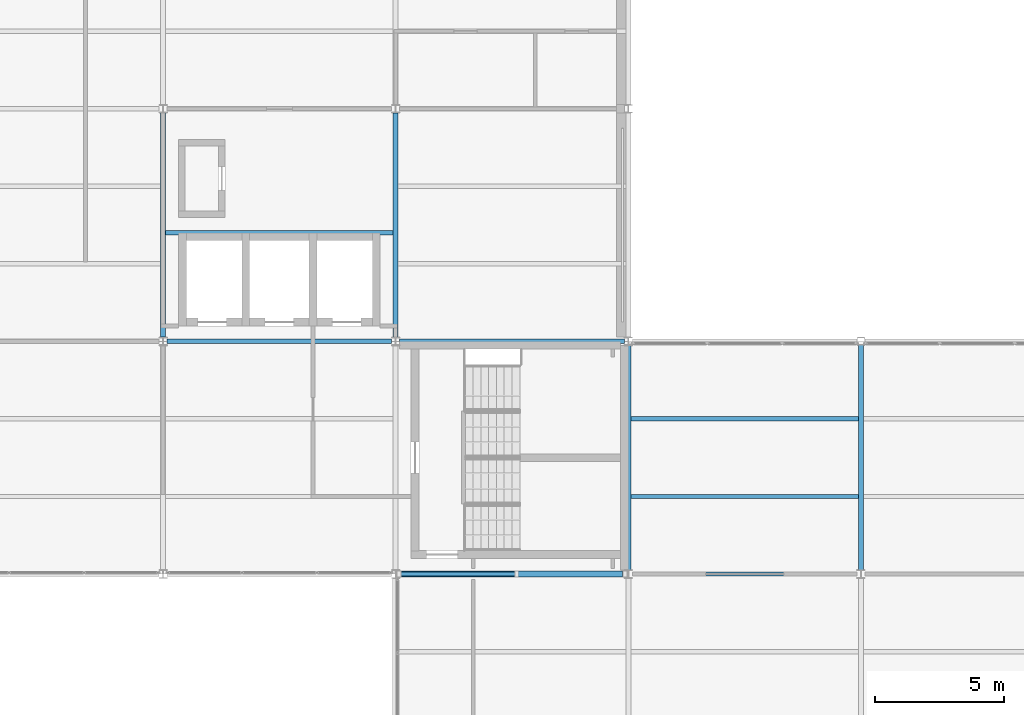
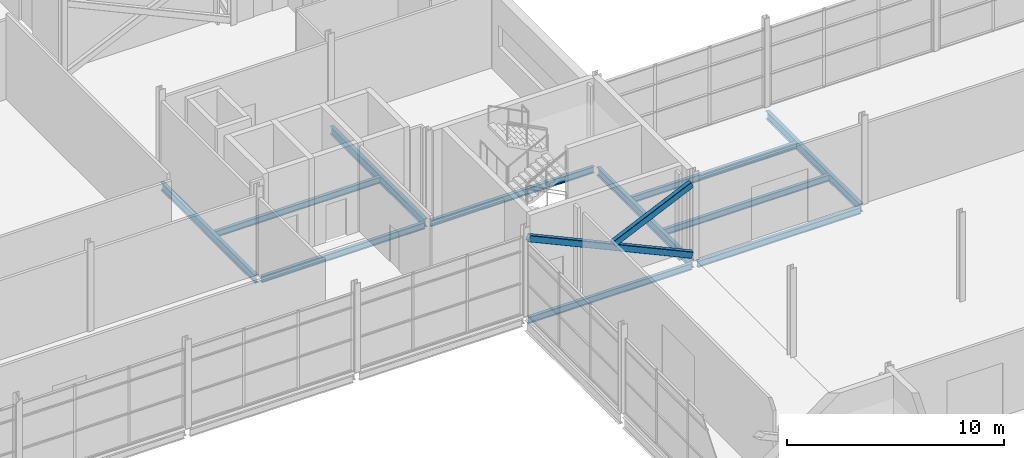
# One storey, part 56 of 112: 11 beams, 2 members.
"""IFC4 building model written with IfcOpenShell, lengths in metres."""

from ifc_helpers import new_model, si_unit, direction, frame, origin, origin_2d, place, context, subcontext, project, spatial, hollow_rectangle, i_section, extrude, material, material_profile, profile_set, type_object, element, save


model = new_model("IFC4")

# Units and contexts
model_context = context("Model", 3, precision=1e-05, world=origin(), true_north=direction((0.0, 1.0)))
body_context = subcontext(model_context, "Body", "Model", "MODEL_VIEW")
ifc_project = project(units=[si_unit("LENGTHUNIT", "METRE"), si_unit("AREAUNIT", "SQUARE_METRE"), si_unit("VOLUMEUNIT", "CUBIC_METRE"), si_unit("PLANEANGLEUNIT", "RADIAN"), si_unit("MASSUNIT", "GRAM", prefix="KILO")], contexts=[model_context])

# Site, building, storey
site_placement = place(None, origin())
site = spatial("IfcSite", under=ifc_project, at=site_placement, CompositionType="ELEMENT")
building_placement = place(site_placement, origin())
building = spatial("IfcBuilding", under=site, at=building_placement, Name="Shorebreak Coast Museum", CompositionType="ELEMENT")
storey_placement = place(building_placement, frame((0.0, 0.0, 6.0)))
storey = spatial("IfcBuildingStorey", under=building, at=storey_placement, Name="L01", CompositionType="ELEMENT", Elevation=6.0)

# Beams
ifc_material_1 = material(Name="Steel Grade 300", Category="steel")
ifc_material_profile_1 = material_profile(ifc_material_1, i_section(OverallWidth=0.1708984375, OverallDepth=0.355712890625, WebThickness=0.00732421875, FlangeThickness=0.011474609375, FilletRadius=0.011474609375, at=origin_2d()), Name="360UB50.7")
ifc_profile_set_1 = profile_set([ifc_material_profile_1], Name="Steel Grade 300")
beam_type_1 = type_object("IfcBeamType", Name="Floor girder east-west 360UB50.7", PredefinedType="BEAM", material=ifc_profile_set_1)
beam_1_placement = place(storey_placement, frame((117.154541015625, 81.0, -0.352783203125), z_axis=(1.0, 0.0, 0.0), x_axis=(0.0, 1.0, 0.0)))
element("IfcBeam", 1, at=beam_1_placement, inside=storey, type_object=beam_type_1, Name="Floor girder east-west L01 14K", PredefinedType="BEAM", context=body_context, shape_type="SweptSolid", body=[
    extrude(i_section(OverallWidth=0.1708984375, OverallDepth=0.355712890625, WebThickness=0.00732421875, FlangeThickness=0.011474609375, FilletRadius=0.011474609375, at=origin_2d()), origin(), (0.0, 0.0, 1.0), 8.69091796875),
])
ifc_material_2 = material(Name="Steel Grade 300", Category="steel")
ifc_material_profile_2 = material_profile(ifc_material_2, i_section(OverallWidth=0.172119140625, OverallDepth=0.358642578125, WebThickness=0.008056640625, FlangeThickness=0.012939453125, FilletRadius=0.011474609375, at=origin_2d()), Name="360UB56.7")
ifc_profile_set_2 = profile_set([ifc_material_profile_2], Name="Steel Grade 300")
beam_type_2 = type_object("IfcBeamType", Name="Floor girder east-west 360UB56.7", PredefinedType="BEAM", material=ifc_profile_set_2)
beam_2_placement = place(storey_placement, frame((108.155517578125, 81.0, -0.354248046875), z_axis=(1.0, 0.0, 0.0), x_axis=(0.0, 1.0, 0.0)))
element("IfcBeam", 2, at=beam_2_placement, inside=storey, type_object=beam_type_2, Name="Floor girder east-west L01 13K", PredefinedType="BEAM", context=body_context, shape_type="SweptSolid", body=[
    extrude(i_section(OverallWidth=0.172119140625, OverallDepth=0.358642578125, WebThickness=0.008056640625, FlangeThickness=0.012939453125, FilletRadius=0.011474609375, at=origin_2d()), origin(), (0.0, 0.0, 1.0), 8.68994140625),
])
for number, where, z_axis, x_axis, name in (
    (3, (99.155517578125, 90.0, -0.354248046875), (1.0, 0.0, 0.0), (0.0, 1.0, 0.0), "Floor girder east-west L01 12L"),
    (4, (108.155517578125, 90.0, -0.354248046875), (1.0, 0.0, 0.0), (0.0, 1.0, 0.0), "Floor girder east-west L01 13L"),
):
    element("IfcBeam", number, at=place(storey_placement, frame(where, z_axis=z_axis, x_axis=x_axis)), inside=storey, type_object=beam_type_2, Name=name, PredefinedType="BEAM", context=body_context, shape_type="SweptSolid", body=[
        extrude(i_section(OverallWidth=0.172119140625, OverallDepth=0.358642578125, WebThickness=0.008056640625, FlangeThickness=0.012939453125, FilletRadius=0.011474609375, at=origin_2d()), origin(), (0.0, 0.0, 1.0), 8.68896484375),
    ])
ifc_material_3 = material(Name="Steel Grade 300", Category="steel")
ifc_material_profile_3 = material_profile(ifc_material_3, i_section(OverallWidth=0.19091796875, OverallDepth=0.46044921875, WebThickness=0.010009765625, FlangeThickness=0.01611328125, FilletRadius=0.011474609375, at=origin_2d()), Name="460UB82.1")
ifc_profile_set_3 = profile_set([ifc_material_profile_3], Name="Steel Grade 300")
beam_type_3 = type_object("IfcBeamType", Name="Floor girder north-south 460UB82.1", PredefinedType="BEAM", material=ifc_profile_set_3)
beam_3_placement = place(storey_placement, frame((117.0, 81.160400390625, -0.4052734375), z_axis=(0.0, 1.0, 0.0), x_axis=(-1.0, 0.0, 0.0)))
element("IfcBeam", 5, at=beam_3_placement, inside=storey, type_object=beam_type_3, Name="Floor girder north-south L01 14K", PredefinedType="BEAM", context=body_context, shape_type="SweptSolid", body=[
    extrude(i_section(OverallWidth=0.19091796875, OverallDepth=0.46044921875, WebThickness=0.010009765625, FlangeThickness=0.01611328125, FilletRadius=0.011474609375, at=origin_2d()), origin(), (0.0, 0.0, 1.0), 8.676025390625),
])
beam_4_placement = place(storey_placement, frame((126.0, 81.160400390625, -0.4052734375), z_axis=(0.0, 1.0, 0.0), x_axis=(-1.0, 0.0, 0.0)))
element("IfcBeam", 6, at=beam_4_placement, inside=storey, type_object=beam_type_3, Name="Floor girder north-south L01 15K", PredefinedType="BEAM", context=body_context, shape_type="SweptSolid", body=[
    extrude(i_section(OverallWidth=0.19091796875, OverallDepth=0.46044921875, WebThickness=0.010009765625, FlangeThickness=0.01611328125, FilletRadius=0.011474609375, at=origin_2d()), origin(), (0.0, 0.0, 1.0), 8.689697265625),
])
for number, where, z_axis, x_axis, name in (
    (7, (99.0, 90.16357421875, -0.4052734375), (0.0, 1.0, 0.0), (-1.0, 0.0, 0.0), "Floor girder north-south L01 12L"),
    (8, (108.0, 90.16357421875, -0.4052734375), (0.0, 1.0, 0.0), (-1.0, 0.0, 0.0), "Floor girder north-south L01 13L"),
):
    element("IfcBeam", number, at=place(storey_placement, frame(where, z_axis=z_axis, x_axis=x_axis)), inside=storey, type_object=beam_type_3, Name=name, PredefinedType="BEAM", context=body_context, shape_type="SweptSolid", body=[
        extrude(i_section(OverallWidth=0.19091796875, OverallDepth=0.46044921875, WebThickness=0.010009765625, FlangeThickness=0.01611328125, FilletRadius=0.011474609375, at=origin_2d()), origin(), (0.0, 0.0, 1.0), 8.676025390625),
    ])
ifc_material_4 = material(Name="Steel Grade 300", Category="steel")
ifc_material_profile_4 = material_profile(ifc_material_4, i_section(OverallWidth=0.1708984375, OverallDepth=0.35205078125, WebThickness=0.0068359375, FlangeThickness=0.009765625, FilletRadius=0.011474609375, at=origin_2d()), Name="360UB44.7")
ifc_profile_set_4 = profile_set([ifc_material_profile_4], Name="Steel Grade 300")
beam_type_4 = type_object("IfcBeamType", Name="Floor joist 360UB44.7", PredefinedType="JOIST", material=ifc_profile_set_4)
beam_5_placement = place(storey_placement, frame((99.095458984375, 94.199951171875, -0.35107421875), z_axis=(1.0, 0.0, 0.0), x_axis=(0.0, 1.0, 0.0)))
element("IfcBeam", 9, at=beam_5_placement, inside=storey, type_object=beam_type_4, Name="Floor joist L01 bay 12L at 4200 mm", PredefinedType="JOIST", context=body_context, shape_type="SweptSolid", body=[
    extrude(i_section(OverallWidth=0.1708984375, OverallDepth=0.35205078125, WebThickness=0.0068359375, FlangeThickness=0.009765625, FilletRadius=0.011474609375, at=origin_2d()), origin(), (0.0, 0.0, 1.0), 8.80908203125),
])
ifc_material_5 = material(Name="Steel Grade 300", Category="steel")
ifc_material_profile_5 = material_profile(ifc_material_5, i_section(OverallWidth=0.1708984375, OverallDepth=0.355712890625, WebThickness=0.00732421875, FlangeThickness=0.011474609375, FilletRadius=0.011474609375, at=origin_2d()), Name="360UB50.7")
ifc_profile_set_5 = profile_set([ifc_material_profile_5], Name="Steel Grade 300")
beam_type_5 = type_object("IfcBeamType", Name="Floor joist 360UB50.7", PredefinedType="JOIST", material=ifc_profile_set_5)
for number, where, z_axis, x_axis, name in (
    (10, (117.095458984375, 84.0, -0.352783203125), (1.0, 0.0, 0.0), (0.0, 1.0, 0.0), "Floor joist L01 bay 14K at 3000 mm"),
    (11, (117.095458984375, 87.0, -0.352783203125), (1.0, 0.0, 0.0), (0.0, 1.0, 0.0), "Floor joist L01 bay 14K at 6000 mm"),
):
    element("IfcBeam", number, at=place(storey_placement, frame(where, z_axis=z_axis, x_axis=x_axis)), inside=storey, type_object=beam_type_5, Name=name, PredefinedType="JOIST", context=body_context, shape_type="SweptSolid", body=[
        extrude(i_section(OverallWidth=0.1708984375, OverallDepth=0.355712890625, WebThickness=0.00732421875, FlangeThickness=0.011474609375, FilletRadius=0.011474609375, at=origin_2d()), origin(), (0.0, 0.0, 1.0), 8.80908203125),
    ])

# Members
ifc_material_6 = material(Name="Steel Grade C450L0", Category="steel")
ifc_material_profile_6 = material_profile(ifc_material_6, hollow_rectangle(XDim=0.25, YDim=0.35009765625, WallThickness=0.012451171875, InnerFilletRadius=0.018798828125, OuterFilletRadius=0.03125, at=origin_2d()), Name="350x250x12.5 RHS")
ifc_profile_set_6 = profile_set([ifc_material_profile_6], Name="Steel Grade C450L0")
member_type = type_object("IfcMemberType", Name="X-brace 350x250x12.5 RHS", PredefinedType="BRACE", material=ifc_profile_set_6)
member_1_placement = place(storey_placement, frame((112.686767578125, 81.0, 2.372802734375), z_axis=(0.909393134125, 0.0, 0.415937648701), x_axis=(0.0, 1.0, 0.0)))
element("IfcMember", 12, at=member_1_placement, inside=storey, type_object=member_type, Name="X-brace bay 04 L01 diagonal 1", PredefinedType="BRACE", context=body_context, shape_type="SweptSolid", body=[
    extrude(hollow_rectangle(XDim=0.25, YDim=0.35009765625, WallThickness=0.012451171875, InnerFilletRadius=0.018798828125, OuterFilletRadius=0.03125, at=origin_2d()), origin(), (0.0, 0.0, 1.0), 4.572998046875),
])
member_2_placement = place(storey_placement, frame((116.845458984375, 81.0, 0.300048828125), z_axis=(-0.909383092175, 0.0, 0.415959603408), x_axis=(0.0, -1.0, 0.0)))
element("IfcMember", 13, at=member_2_placement, inside=storey, type_object=member_type, Name="X-brace bay 04 L01 diagonal 2", PredefinedType="BRACE", context=body_context, shape_type="SweptSolid", body=[
    extrude(hollow_rectangle(XDim=0.25, YDim=0.35009765625, WallThickness=0.012451171875, InnerFilletRadius=0.018798828125, OuterFilletRadius=0.03125, at=origin_2d()), origin(), (0.0, 0.0, 1.0), 9.555908203125),
])

save(model, "model.ifc")
